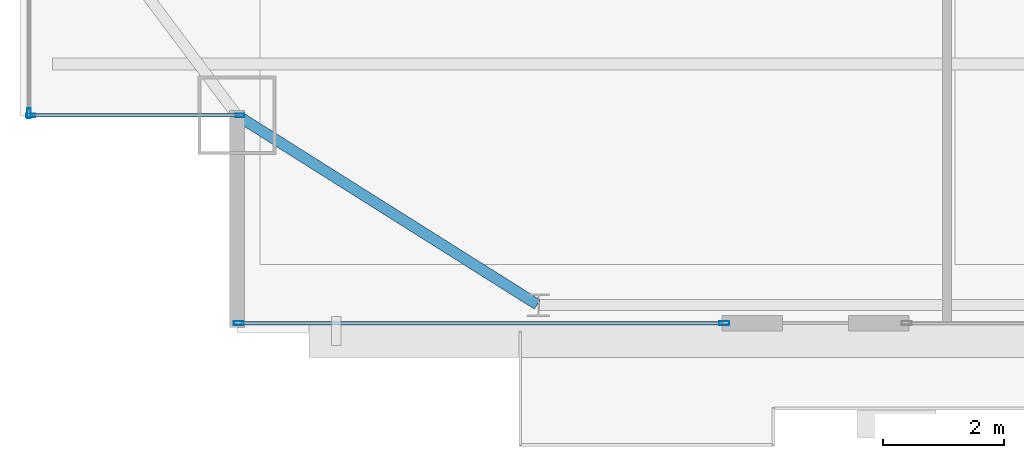
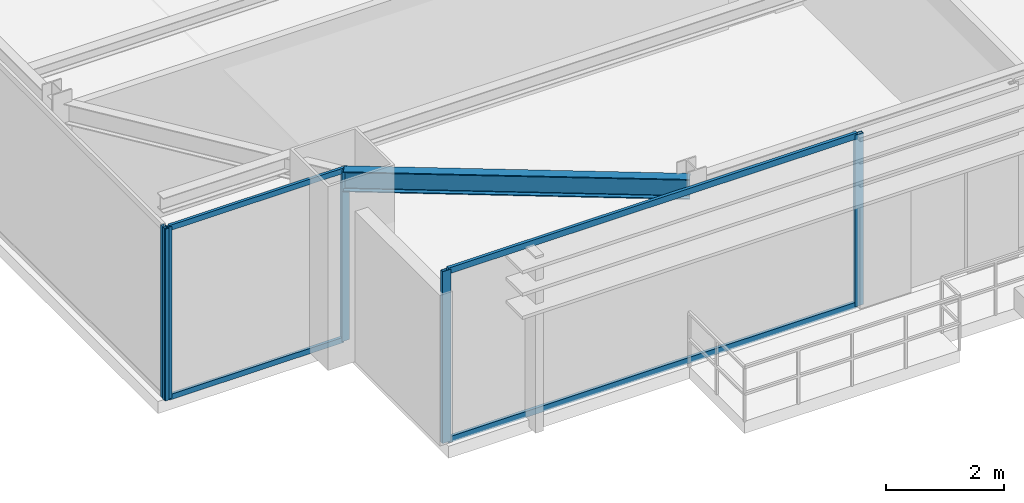
# One storey, part 4 of 30: 9 members, 1 beam, 3 elements without a shape of their own.
"""IFC4 building model written with IfcOpenShell, lengths in metres."""

from ifc_helpers import new_model, si_unit, direction, frame, origin, origin_2d, place, context, subcontext, project, spatial, hollow_rectangle, i_section, extrude, source, transform, mapped, material, layer, layer_set, material_profile, profile_set, type_object, type_shapes, element, aggregate, save


model = new_model("IFC4")

# Units and contexts
model_context = context("Model", 3, precision=1e-05, world=origin(), true_north=direction((0.0, 1.0)))
body_context = subcontext(model_context, "Body", "Model", "MODEL_VIEW")
ifc_project = project(units=[si_unit("LENGTHUNIT", "METRE"), si_unit("AREAUNIT", "SQUARE_METRE"), si_unit("VOLUMEUNIT", "CUBIC_METRE"), si_unit("PLANEANGLEUNIT", "RADIAN"), si_unit("MASSUNIT", "GRAM", prefix="KILO")], contexts=[model_context])

# Site, building, storey
site_placement = place(None, origin())
site = spatial("IfcSite", under=ifc_project, at=site_placement, CompositionType="ELEMENT")
building_placement = place(site_placement, origin())
building = spatial("IfcBuilding", under=site, at=building_placement, Name="Varnel Quay Broadcast Tower", CompositionType="ELEMENT")
storey_placement = place(building_placement, frame((0.0, 0.0, 168.60009765625)))
storey = spatial("IfcBuildingStorey", under=building, at=storey_placement, Name="L41", CompositionType="ELEMENT", Elevation=168.60009765625)

# Beam
ifc_material_1 = material(Name="Structural Steel CSA G40.21 350W", Category="steel")
ifc_material_profile_1 = material_profile(ifc_material_1, i_section(OverallWidth=0.180908203125, OverallDepth=0.4169921875, WebThickness=0.010986328125, FlangeThickness=0.018310546875, FilletRadius=0.011962890625, at=origin_2d()), Name="W410X85")
ifc_profile_set_1 = profile_set([ifc_material_profile_1], Name="Structural Steel CSA G40.21 350W")
beam_type = type_object("IfcBeamType", Name="Beam_W410X85", PredefinedType="SPANDREL", material=ifc_profile_set_1)
shared_shape_1 = source(origin(), body_context, "Body", "SweptSolid", [
    extrude(i_section(OverallWidth=0.180908203125, OverallDepth=0.4169921875, WebThickness=0.010986328125, FlangeThickness=0.018310546875, FilletRadius=0.011962890625, at=origin_2d()), origin(), (0.0, 0.0, 1.0), 5.869384765625),
])
type_shapes(beam_type, [shared_shape_1])
beam_placement = place(storey_placement, frame((10.616943359375, 10.789306640625, 3.34130859375), z_axis=(0.846088328928, -0.533042718412, 0.0), x_axis=(0.533042718412, 0.846088328928, 0.0)))
element("IfcBeam", 1, at=beam_placement, inside=storey, type_object=beam_type, Name="L41 South Spandrel MC-SW-TC-S1", PredefinedType="SPANDREL", context=body_context, shape_type="MappedRepresentation", body=[
    mapped(shared_shape_1, transform((0.0, 0.0, 0.0), x_axis=(1.0, 0.0, 0.0), y_axis=(0.0, 1.0, 0.0), z_axis=(0.0, 0.0, 1.0), scale=1.0)),
])

# Curtain wall, members
ifc_material_2 = material(Name="Anodised Bronze Aluminium 6063-T6", Category="aluminium")
ifc_layer_1 = layer(ifc_material_2, 0.18994140625, Name="Anodised Bronze Aluminium 6063-T6")
ifc_layer_set_1 = layer_set([ifc_layer_1], Name="Anodised Bronze Aluminium 6063-T6")
curtain_wall_type_1 = type_object("IfcCurtainWallType", Name="CW_NotchCorner", PredefinedType="NOTDEFINED", material=ifc_layer_set_1)
curtain_wall_1_placement = place(storey_placement, origin())
curtain_wall_1 = element("IfcCurtainWall", 2, at=curtain_wall_1_placement, inside=storey, type_object=curtain_wall_type_1, Name="L41 SW Notch Curtain Wall", PredefinedType="NOTDEFINED")
ifc_material_profile_2 = material_profile(ifc_material_2, hollow_rectangle(XDim=0.054931640625, YDim=0.110107421875, WallThickness=0.0029296875, at=origin_2d()), Name="ALU55X110X3")
ifc_profile_set_2 = profile_set([ifc_material_profile_2], Name="Anodised Bronze Aluminium 6063-T6")
member_type_1 = type_object("IfcMemberType", Name="Tran_CWS-04", PredefinedType="USERDEFINED", material=ifc_profile_set_2)
shared_shape_2 = source(origin(), body_context, "Body", "SweptSolid", [
    extrude(hollow_rectangle(XDim=0.054931640625, YDim=0.110107421875, WallThickness=0.0029296875, at=origin_2d()), origin(), (0.0, 0.0, 1.0), 3.41015625),
])
type_shapes(member_type_1, [shared_shape_2])
member_1_placement = place(storey_placement, frame((7.2099609375, 10.800048828125, 0.02734375), z_axis=(1.0, 0.0, 0.0), x_axis=(0.0, 1.0, 0.0)))
member_1 = element("IfcMember", 3, at=member_1_placement, type_object=member_type_1, Name="CWS-04 transom 1.1", ObjectType="TRANSOM", PredefinedType="USERDEFINED", context=body_context, shape_type="MappedRepresentation", body=[
    mapped(shared_shape_2, transform((0.0, 0.0, 0.0), x_axis=(1.0, 0.0, 0.0), y_axis=(0.0, 1.0, 0.0), z_axis=(0.0, 0.0, 1.0), scale=1.0)),
])
member_2_placement = place(storey_placement, frame((7.2099609375, 10.800048828125, 3.5224609375), z_axis=(1.0, 0.0, 0.0), x_axis=(0.0, 1.0, 0.0)))
member_2 = element("IfcMember", 4, at=member_2_placement, type_object=member_type_1, Name="CWS-04 transom 1.2", ObjectType="TRANSOM", PredefinedType="USERDEFINED", context=body_context, shape_type="MappedRepresentation", body=[
    mapped(shared_shape_2, transform((0.0, 0.0, 0.0), x_axis=(1.0, 0.0, 0.0), y_axis=(0.0, 1.0, 0.0), z_axis=(0.0, 0.0, 1.0), scale=1.0)),
])
ifc_material_profile_3 = material_profile(ifc_material_2, hollow_rectangle(XDim=0.06005859375, YDim=0.14501953125, WallThickness=0.00341796875, at=origin_2d()), Name="ALU60X145X3.5")
ifc_profile_set_3 = profile_set([ifc_material_profile_3], Name="Anodised Bronze Aluminium 6063-T6")
member_type_2 = type_object("IfcMemberType", Name="Mull_CWS-04", PredefinedType="MULLION", material=ifc_profile_set_3)
shared_shape_3 = source(origin(), body_context, "Body", "SweptSolid", [
    extrude(hollow_rectangle(XDim=0.06005859375, YDim=0.14501953125, WallThickness=0.00341796875, at=origin_2d()), origin(), (0.0, 0.0, 1.0), 3.5498046875),
])
type_shapes(member_type_2, [shared_shape_3])
member_3_placement = place(storey_placement, frame((7.179931640625, 10.800048828125, 0.0), z_axis=(0.0, 0.0, 1.0), x_axis=(0.0, 1.0, 0.0)))
member_3 = element("IfcMember", 5, at=member_3_placement, type_object=member_type_2, Name="CWS-04 mullion 1", PredefinedType="MULLION", context=body_context, shape_type="MappedRepresentation", body=[
    mapped(shared_shape_3, transform((0.0, 0.0, 0.0), x_axis=(1.0, 0.0, 0.0), y_axis=(0.0, 1.0, 0.0), z_axis=(0.0, 0.0, 1.0), scale=1.0)),
])
member_4_placement = place(storey_placement, frame((10.64990234375, 10.800048828125, 0.0), z_axis=(0.0, 0.0, 1.0), x_axis=(0.0, 1.0, 0.0)))
member_4 = element("IfcMember", 6, at=member_4_placement, type_object=member_type_2, Name="CWS-04 mullion 2", PredefinedType="MULLION", context=body_context, shape_type="MappedRepresentation", body=[
    mapped(shared_shape_3, transform((0.0, 0.0, 0.0), x_axis=(1.0, 0.0, 0.0), y_axis=(0.0, 1.0, 0.0), z_axis=(0.0, 0.0, 1.0), scale=1.0)),
])
aggregate(curtain_wall_1, [member_3, member_4, member_1, member_2])

ifc_layer_2 = layer(ifc_material_2, 0.18994140625, Name="Anodised Bronze Aluminium 6063-T6")
ifc_layer_set_2 = layer_set([ifc_layer_2], Name="Anodised Bronze Aluminium 6063-T6")
curtain_wall_type_2 = type_object("IfcCurtainWallType", Name="CW_UpperTower", PredefinedType="NOTDEFINED", material=ifc_layer_set_2)
curtain_wall_2_placement = place(storey_placement, origin())
curtain_wall_2 = element("IfcCurtainWall", 7, at=curtain_wall_2_placement, inside=storey, type_object=curtain_wall_type_2, Name="L41 South Unitised Curtain Wall 1", PredefinedType="NOTDEFINED")
ifc_material_profile_4 = material_profile(ifc_material_2, hollow_rectangle(XDim=0.06494140625, YDim=0.1650390625, WallThickness=0.00341796875, at=origin_2d()), Name="ALU65X165X3.5")
ifc_profile_set_4 = profile_set([ifc_material_profile_4], Name="Anodised Bronze Aluminium 6063-T6")
member_type_3 = type_object("IfcMemberType", Name="Mull_CWS-03", PredefinedType="MULLION", material=ifc_profile_set_4)
shared_shape_4 = source(origin(), body_context, "Body", "SweptSolid", [
    extrude(hollow_rectangle(XDim=0.06494140625, YDim=0.1650390625, WallThickness=0.00341796875, at=origin_2d()), origin(), (0.0, 0.0, 1.0), 3.5498046875),
])
type_shapes(member_type_3, [shared_shape_4])
member_5_placement = place(storey_placement, frame((10.632568359375, 7.35009765625, 0.0), z_axis=(0.0, 0.0, 1.0), x_axis=(0.0, 1.0, 0.0)))
member_5 = element("IfcMember", 8, at=member_5_placement, type_object=member_type_3, Name="CWS-03 mullion 1", PredefinedType="MULLION", context=body_context, shape_type="MappedRepresentation", body=[
    mapped(shared_shape_4, transform((0.0, 0.0, 0.0), x_axis=(1.0, 0.0, 0.0), y_axis=(0.0, 1.0, 0.0), z_axis=(0.0, 0.0, 1.0), scale=1.0)),
])
member_6_placement = place(storey_placement, frame((18.6875, 7.35009765625, 0.0), z_axis=(0.0, 0.0, 1.0), x_axis=(0.0, 1.0, 0.0)))
member_6 = element("IfcMember", 9, at=member_6_placement, type_object=member_type_3, Name="CWS-03 mullion 2", PredefinedType="MULLION", context=body_context, shape_type="MappedRepresentation", body=[
    mapped(shared_shape_4, transform((0.0, 0.0, 0.0), x_axis=(1.0, 0.0, 0.0), y_axis=(0.0, 1.0, 0.0), z_axis=(0.0, 0.0, 1.0), scale=1.0)),
])

# Curtain wall, member
curtain_wall_3_placement = place(storey_placement, origin())
curtain_wall_3 = element("IfcCurtainWall", 10, at=curtain_wall_3_placement, inside=storey, type_object=curtain_wall_type_2, Name="L41 West Unitised Curtain Wall", PredefinedType="NOTDEFINED")
member_7_placement = place(storey_placement, frame((7.14990234375, 10.83251953125, 0.0), z_axis=(0.0, 0.0, 1.0), x_axis=(-1.0, 0.0, 0.0)))
member_7 = element("IfcMember", 11, at=member_7_placement, type_object=member_type_3, Name="CWS-03 mullion 1", PredefinedType="MULLION", context=body_context, shape_type="MappedRepresentation", body=[
    mapped(shared_shape_4, transform((0.0, 0.0, 0.0), x_axis=(1.0, 0.0, 0.0), y_axis=(0.0, 1.0, 0.0), z_axis=(0.0, 0.0, 1.0), scale=1.0)),
])
aggregate(curtain_wall_3, [member_7])

# Member
ifc_material_profile_5 = material_profile(ifc_material_2, hollow_rectangle(XDim=0.06005859375, YDim=0.125, WallThickness=0.0029296875, at=origin_2d()), Name="ALU60X125X3")
ifc_profile_set_5 = profile_set([ifc_material_profile_5], Name="Anodised Bronze Aluminium 6063-T6")
member_type_4 = type_object("IfcMemberType", Name="Tran_CWS-03", PredefinedType="USERDEFINED", material=ifc_profile_set_5)
shared_shape_5 = source(origin(), body_context, "Body", "SweptSolid", [
    extrude(hollow_rectangle(XDim=0.06005859375, YDim=0.125, WallThickness=0.0029296875, at=origin_2d()), origin(), (0.0, 0.0, 1.0), 7.989990234375),
])
type_shapes(member_type_4, [shared_shape_5])
member_8_placement = place(storey_placement, frame((10.6650390625, 7.35009765625, 0.02978515625), z_axis=(1.0, 0.0, 0.0), x_axis=(0.0, 1.0, 0.0)))
member_8 = element("IfcMember", 12, at=member_8_placement, type_object=member_type_4, Name="CWS-03 transom 1.1", ObjectType="TRANSOM", PredefinedType="USERDEFINED", context=body_context, shape_type="MappedRepresentation", body=[
    mapped(shared_shape_5, transform((0.0, 0.0, 0.0), x_axis=(1.0, 0.0, 0.0), y_axis=(0.0, 1.0, 0.0), z_axis=(0.0, 0.0, 1.0), scale=1.0)),
])

member_9_placement = place(storey_placement, frame((10.6650390625, 7.35009765625, 3.52001953125), z_axis=(1.0, 0.0, 0.0), x_axis=(0.0, 1.0, 0.0)))
member_9 = element("IfcMember", 13, at=member_9_placement, type_object=member_type_4, Name="CWS-03 transom 1.2", ObjectType="TRANSOM", PredefinedType="USERDEFINED", context=body_context, shape_type="MappedRepresentation", body=[
    mapped(shared_shape_5, transform((0.0, 0.0, 0.0), x_axis=(1.0, 0.0, 0.0), y_axis=(0.0, 1.0, 0.0), z_axis=(0.0, 0.0, 1.0), scale=1.0)),
])

aggregate(curtain_wall_2, [member_5, member_6, member_8, member_9])

save(model, "model.ifc")
